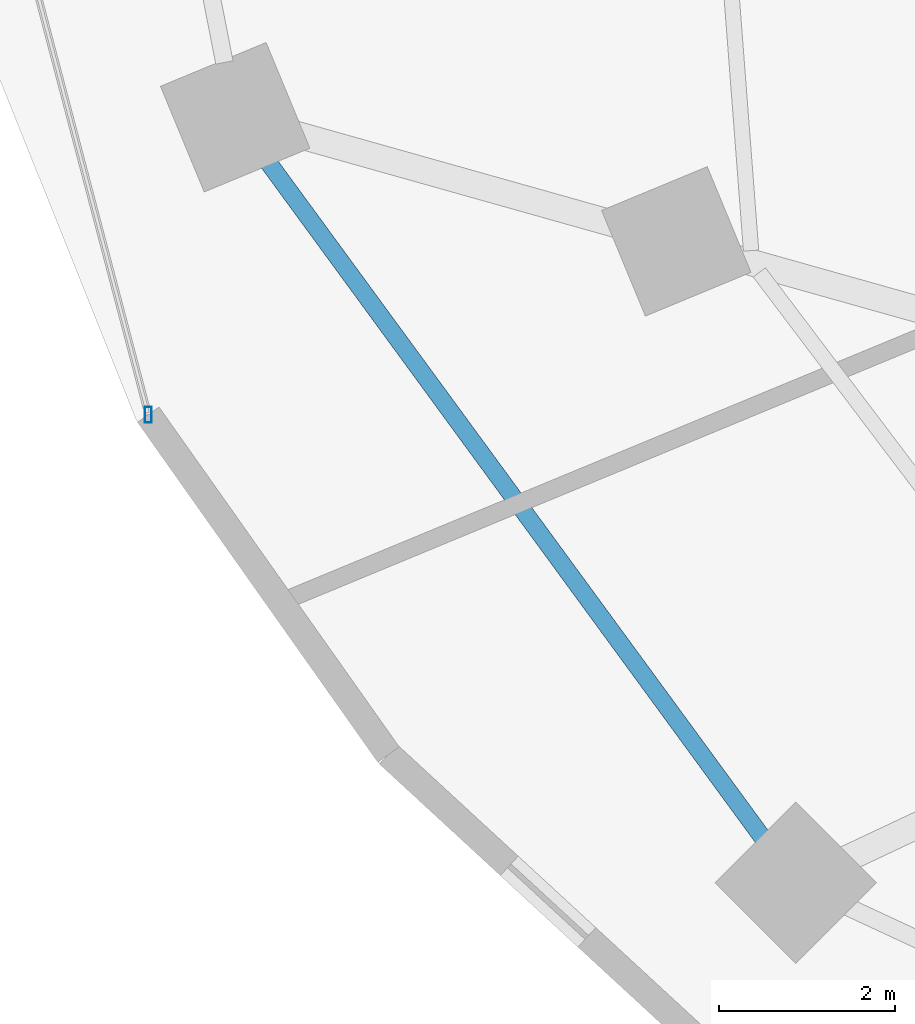
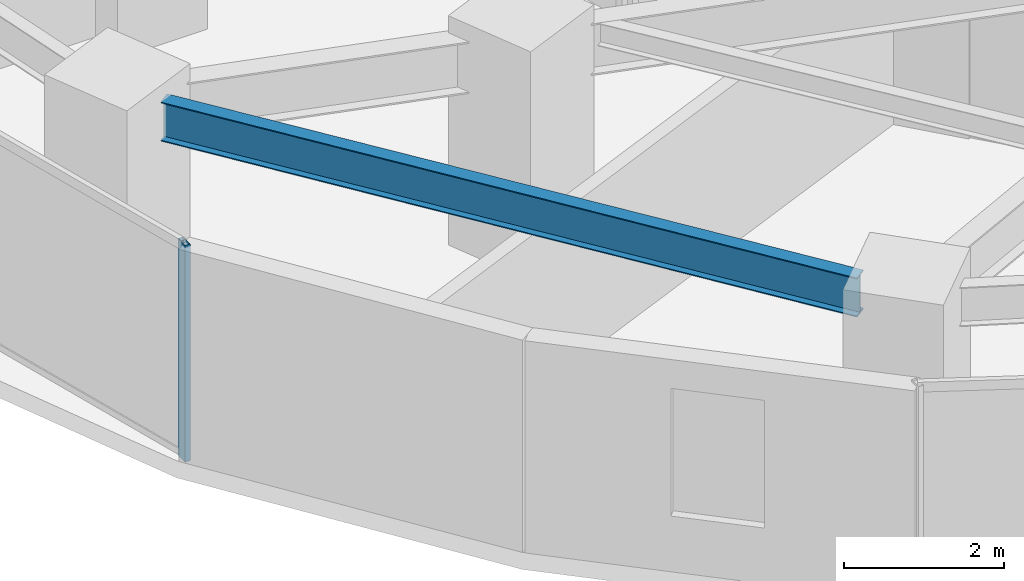
# One storey, part 3 of 34: 1 beam, 1 member, 1 element without a shape of its own.
"""IFC4 building model written with IfcOpenShell, lengths in metres."""

from ifc_helpers import new_model, si_unit, direction, frame, origin, origin_2d, place, context, subcontext, project, spatial, hollow_rectangle, i_section, extrude, material, material_profile, profile_set, type_object, element, aggregate, save


model = new_model("IFC4")

# Units and contexts
model_context = context("Model", 3, precision=1e-05, world=origin(), true_north=direction((0.0, 1.0)))
body_context = subcontext(model_context, "Body", "Model", "MODEL_VIEW")
ifc_project = project(units=[si_unit("LENGTHUNIT", "METRE"), si_unit("AREAUNIT", "SQUARE_METRE"), si_unit("VOLUMEUNIT", "CUBIC_METRE"), si_unit("PLANEANGLEUNIT", "RADIAN"), si_unit("MASSUNIT", "GRAM", prefix="KILO")], contexts=[model_context])

# Site, building, storey
site_placement = place(None, origin())
site = spatial("IfcSite", under=ifc_project, at=site_placement, CompositionType="ELEMENT")
building_placement = place(site_placement, origin())
building = spatial("IfcBuilding", under=site, at=building_placement, Name="Vorneva Point Tower", CompositionType="ELEMENT")
storey_placement = place(building_placement, frame((0.0, 0.0, 27.5)))
storey = spatial("IfcBuildingStorey", under=building, at=storey_placement, Name="L06", CompositionType="ELEMENT", Elevation=27.5)

# Beam
ifc_material_1 = material(Name="Steel S355", Category="steel")
ifc_material_profile_1 = material_profile(ifc_material_1, i_section(OverallWidth=0.198974609375, OverallDepth=0.595947265625, WebThickness=0.010009765625, FlangeThickness=0.014892578125, at=origin_2d()), Name="60B1")
ifc_profile_set_1 = profile_set([ifc_material_profile_1], Name="Steel S355")
beam_type = type_object("IfcBeamType", Name="BM-SPN-60B1", PredefinedType="SPANDREL", material=ifc_profile_set_1)
beam_placement = place(storey_placement, frame((12.063232421875, 20.317138671875, 2.94189453125), z_axis=(0.59073079975, -0.806868714369, 0.0), x_axis=(0.806868714369, 0.59073079975, 0.0)))
element("IfcBeam", 1, at=beam_placement, inside=storey, type_object=beam_type, Name="L06 Perimeter Spandrel Ring Beam 10", PredefinedType="SPANDREL", context=body_context, shape_type="SweptSolid", body=[
    extrude(i_section(OverallWidth=0.198974609375, OverallDepth=0.595947265625, WebThickness=0.010009765625, FlangeThickness=0.014892578125, at=origin_2d()), origin(), (0.0, 0.0, 1.0), 9.518798828125),
])

# Curtain wall, member
ifc_material_2 = material(Name="Pale anodised aluminium", Category="aluminium")
curtain_wall_type = type_object("IfcCurtainWallType", Name="CW-HTL-SYS", PredefinedType="NOTDEFINED", material=ifc_material_2)
curtain_wall_placement = place(storey_placement, origin())
curtain_wall = element("IfcCurtainWall", 2, at=curtain_wall_placement, inside=storey, type_object=curtain_wall_type, Name="L06 Unitised Curtain Wall CW-L06-R03", PredefinedType="NOTDEFINED")
ifc_material_profile_2 = material_profile(ifc_material_2, hollow_rectangle(XDim=0.074951171875, YDim=0.179931640625, WallThickness=0.00390625, at=origin_2d()), Name="AL-MUL 180x75x4")
ifc_profile_set_2 = profile_set([ifc_material_profile_2], Name="Pale anodised aluminium")
member_type = type_object("IfcMemberType", Name="CW-MUL-180", PredefinedType="MULLION", material=ifc_profile_set_2)
member_placement = place(storey_placement, frame((10.699462890625, 17.447021484375, -0.0400390625), z_axis=(0.0, 0.0, 1.0), x_axis=(1.0, 0.0, 0.0)))
member = element("IfcMember", 3, at=member_placement, type_object=member_type, Name="CW-L06-R03 Mullion 04", PredefinedType="MULLION", context=body_context, shape_type="SweptSolid", body=[
    extrude(hollow_rectangle(XDim=0.074951171875, YDim=0.179931640625, WallThickness=0.00390625, at=origin_2d()), origin(), (0.0, 0.0, 1.0), 3.31005859375),
])
aggregate(curtain_wall, [member])

save(model, "model.ifc")
